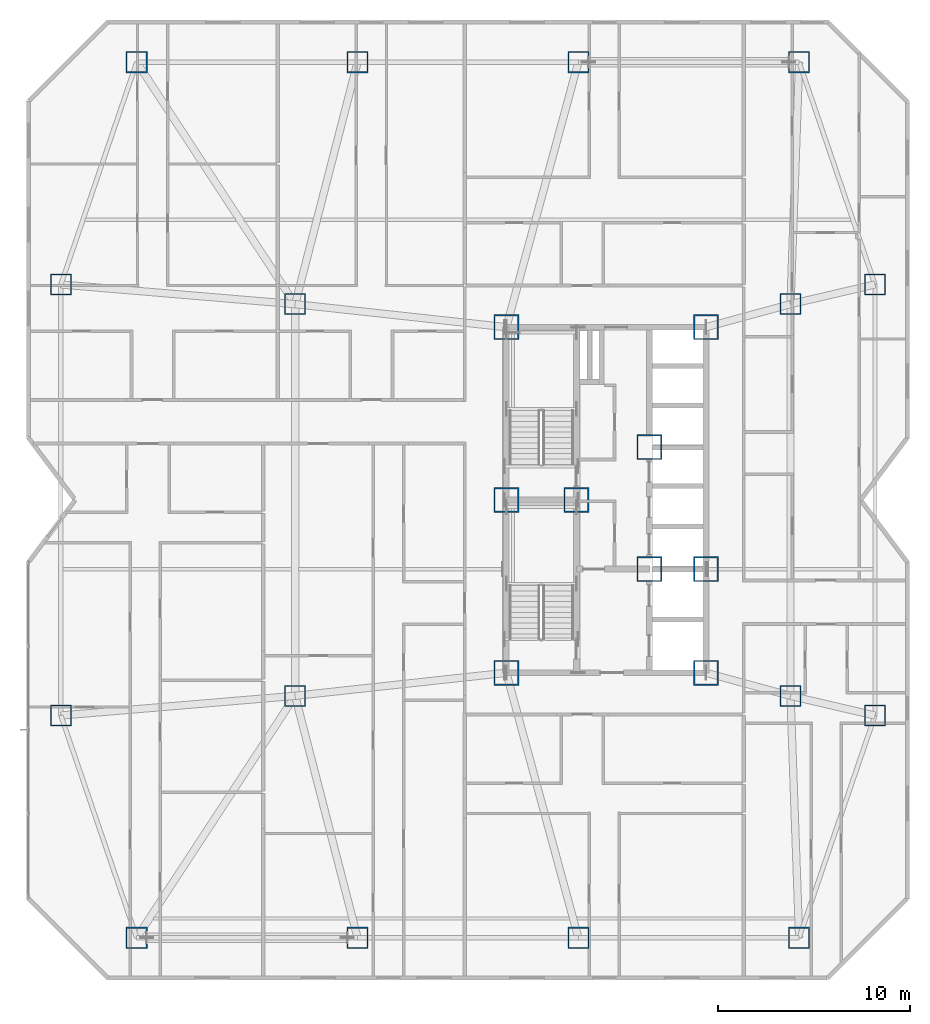
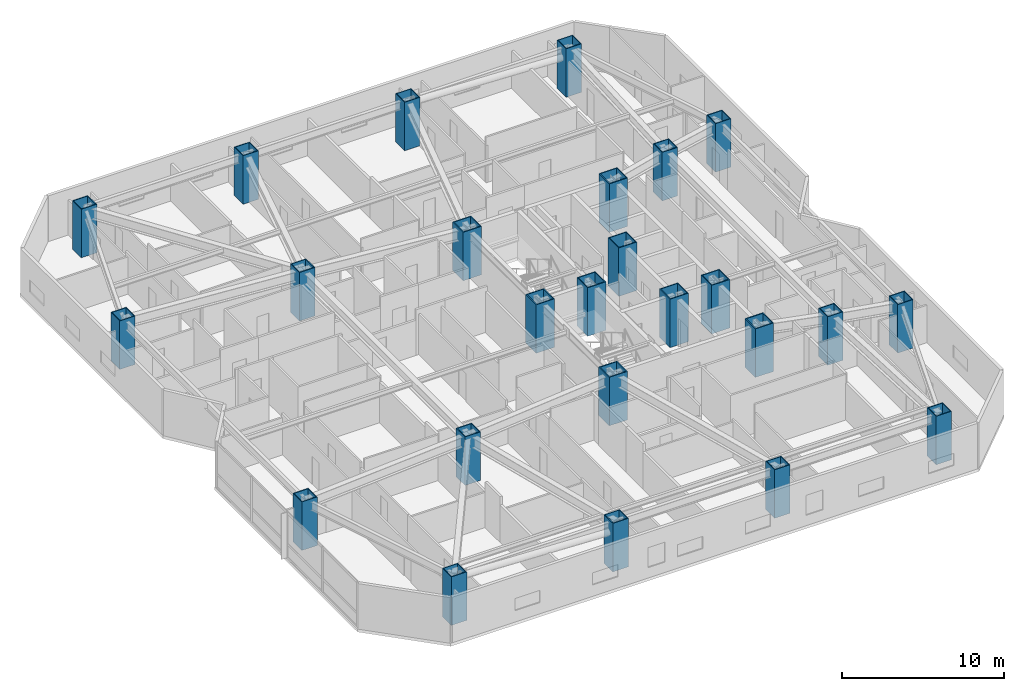
# One storey, part 1 of 18: 25 columns.
"""IFC4 building model written with IfcOpenShell, lengths in metres."""

from ifc_helpers import new_model, si_unit, direction, frame, origin, origin_2d, place, context, subcontext, project, spatial, hollow_rectangle, extrude, material, material_profile, profile_set, type_object, element, save


model = new_model("IFC4")

# Units and contexts
model_context = context("Model", 3, precision=1e-05, world=origin(), true_north=direction((0.0, 1.0)))
body_context = subcontext(model_context, "Body", "Model", "MODEL_VIEW")
ifc_project = project(units=[si_unit("LENGTHUNIT", "METRE"), si_unit("AREAUNIT", "SQUARE_METRE"), si_unit("VOLUMEUNIT", "CUBIC_METRE"), si_unit("PLANEANGLEUNIT", "RADIAN"), si_unit("MASSUNIT", "GRAM", prefix="KILO")], contexts=[model_context])

# Site, building, storey
site_placement = place(None, origin())
site = spatial("IfcSite", under=ifc_project, at=site_placement, CompositionType="ELEMENT")
building_placement = place(site_placement, origin())
building = spatial("IfcBuilding", under=site, at=building_placement, Name="Khamvora Tower", CompositionType="ELEMENT")
storey_placement = place(building_placement, frame((0.0, 0.0, 47.89990234375)))
storey = spatial("IfcBuildingStorey", under=building, at=storey_placement, Name="L11", CompositionType="ELEMENT", Elevation=47.89990234375)

# Columns
ifc_material = material(Name="Steel S460", Category="steel")
ifc_material_profile_1 = material_profile(ifc_material, hollow_rectangle(XDim=1.10009765625, YDim=1.10009765625, WallThickness=0.054931640625, at=origin_2d()), Name="BOX1100x1100x55")
ifc_profile_set_1 = profile_set([ifc_material_profile_1], Name="Steel S460")
column_type_1 = type_object("IfcColumnType", Name="COL-BOX1100", PredefinedType="COLUMN", material=ifc_profile_set_1)
for number, where, z_axis, x_axis, name in (
    (1, (9.75, 5.199951171875, 0.0), (0.0, 0.0, 1.0), (1.0, 0.0, 0.0), "L11 structural frame column S1"),
    (2, (21.25, 5.199951171875, 0.0), (0.0, 0.0, 1.0), (1.0, 0.0, 0.0), "L11 structural frame column S2"),
    (3, (32.75, 5.199951171875, 0.0), (0.0, 0.0, 1.0), (1.0, 0.0, 0.0), "L11 structural frame column S3"),
    (4, (44.25, 5.199951171875, 0.0), (0.0, 0.0, 1.0), (1.0, 0.0, 0.0), "L11 structural frame column S4"),
    (5, (9.75, 50.800048828125, 0.0), (0.0, 0.0, 1.0), (1.0, 0.0, 0.0), "L11 structural frame column N1"),
    (6, (21.25, 50.800048828125, 0.0), (0.0, 0.0, 1.0), (1.0, 0.0, 0.0), "L11 structural frame column N2"),
    (7, (32.75, 50.800048828125, 0.0), (0.0, 0.0, 1.0), (1.0, 0.0, 0.0), "L11 structural frame column N3"),
    (8, (44.25, 50.800048828125, 0.0), (0.0, 0.0, 1.0), (1.0, 0.0, 0.0), "L11 structural frame column N4"),
    (9, (5.800048828125, 16.77490234375, 0.0), (0.0, 0.0, 1.0), (1.0, 0.0, 0.0), "L11 structural frame column W1"),
    (10, (5.800048828125, 39.22509765625, 0.0), (0.0, 0.0, 1.0), (1.0, 0.0, 0.0), "L11 structural frame column W2"),
    (11, (48.199951171875, 16.77490234375, 0.0), (0.0, 0.0, 1.0), (1.0, 0.0, 0.0), "L11 structural frame column E1"),
    (12, (48.199951171875, 39.22509765625, 0.0), (0.0, 0.0, 1.0), (1.0, 0.0, 0.0), "L11 structural frame column E2"),
    (13, (18.0, 17.800048828125, 0.0), (0.0, 0.0, 1.0), (1.0, 0.0, 0.0), "L11 structural frame column MW1"),
    (14, (18.0, 38.199951171875, 0.0), (0.0, 0.0, 1.0), (1.0, 0.0, 0.0), "L11 structural frame column MW2"),
    (15, (43.800048828125, 17.800048828125, 0.0), (0.0, 0.0, 1.0), (1.0, 0.0, 0.0), "L11 structural frame column M1"),
    (16, (43.800048828125, 38.199951171875, 0.0), (0.0, 0.0, 1.0), (1.0, 0.0, 0.0), "L11 structural frame column M2"),
):
    element("IfcColumn", number, at=place(storey_placement, frame(where, z_axis=z_axis, x_axis=x_axis)), inside=storey, type_object=column_type_1, Name=name, PredefinedType="COLUMN", context=body_context, shape_type="SweptSolid", body=[
        extrude(hollow_rectangle(XDim=1.10009765625, YDim=1.10009765625, WallThickness=0.054931640625, at=origin_2d()), origin(), (0.0, 0.0, 1.0), 3.650146484375),
    ])
ifc_material_profile_2 = material_profile(ifc_material, hollow_rectangle(XDim=1.300048828125, YDim=1.300048828125, WallThickness=0.06494140625, at=origin_2d()), Name="BOX1300x1300x65")
ifc_profile_set_2 = profile_set([ifc_material_profile_2], Name="Steel S460")
column_type_2 = type_object("IfcColumnType", Name="COL-BOX1300", PredefinedType="COLUMN", material=ifc_profile_set_2)
for number, where, z_axis, x_axis, name in (
    (17, (29.0, 19.0, 0.0), (0.0, 0.0, 1.0), (1.0, 0.0, 0.0), "L11 plumb core spine column SC1"),
    (18, (32.64990234375, 28.0, 0.0), (0.0, 0.0, 1.0), (1.0, 0.0, 0.0), "L11 plumb core spine column SC2"),
    (19, (39.39990234375, 19.0, 0.0), (0.0, 0.0, 1.0), (1.0, 0.0, 0.0), "L11 plumb core spine column SC3"),
    (20, (29.0, 28.0, 0.0), (0.0, 0.0, 1.0), (1.0, 0.0, 0.0), "L11 plumb core spine column SC4"),
    (21, (36.449951171875, 24.39990234375, 0.0), (0.0, 0.0, 1.0), (1.0, 0.0, 0.0), "L11 plumb core spine column SC5"),
    (22, (39.39990234375, 24.39990234375, 0.0), (0.0, 0.0, 1.0), (1.0, 0.0, 0.0), "L11 plumb core spine column SC6"),
    (23, (29.0, 37.0, 0.0), (0.0, 0.0, 1.0), (1.0, 0.0, 0.0), "L11 plumb core spine column SC7"),
    (24, (36.449951171875, 30.75, 0.0), (0.0, 0.0, 1.0), (1.0, 0.0, 0.0), "L11 plumb core spine column SC8"),
    (25, (39.39990234375, 37.0, 0.0), (0.0, 0.0, 1.0), (1.0, 0.0, 0.0), "L11 plumb core spine column SC9"),
):
    element("IfcColumn", number, at=place(storey_placement, frame(where, z_axis=z_axis, x_axis=x_axis)), inside=storey, type_object=column_type_2, Name=name, PredefinedType="COLUMN", context=body_context, shape_type="SweptSolid", body=[
        extrude(hollow_rectangle(XDim=1.300048828125, YDim=1.300048828125, WallThickness=0.06494140625, at=origin_2d()), origin(), (0.0, 0.0, 1.0), 3.650146484375),
    ])

save(model, "model.ifc")
